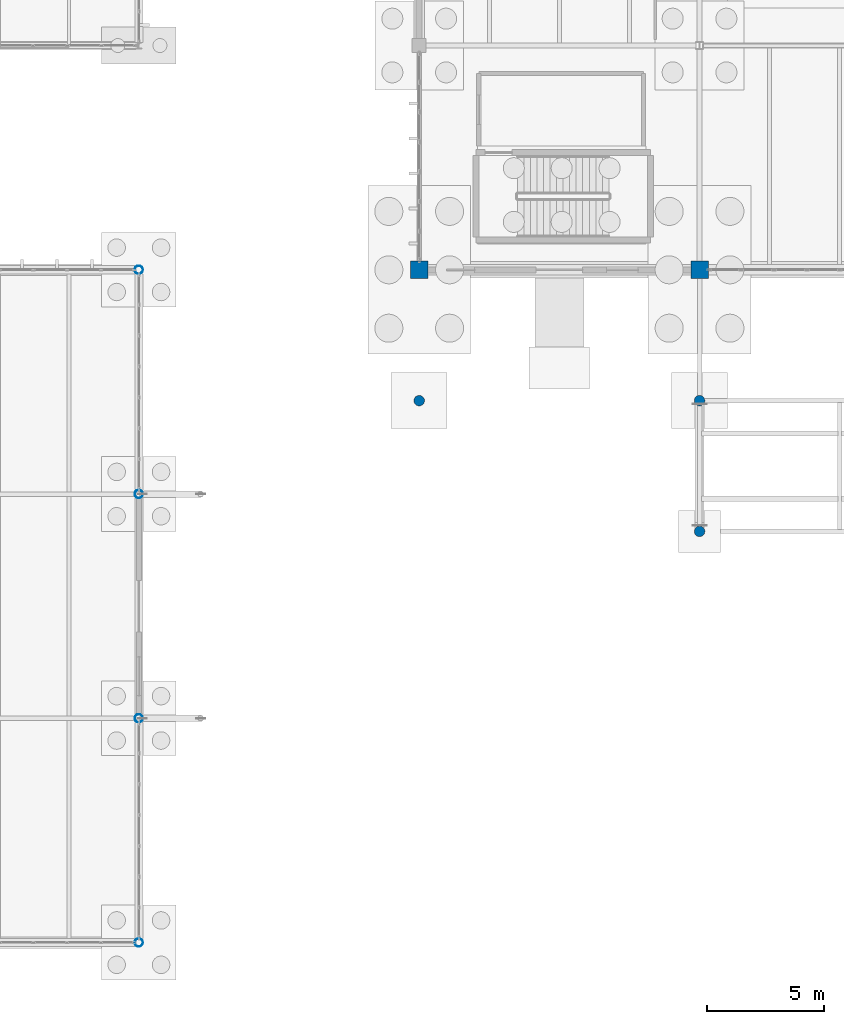
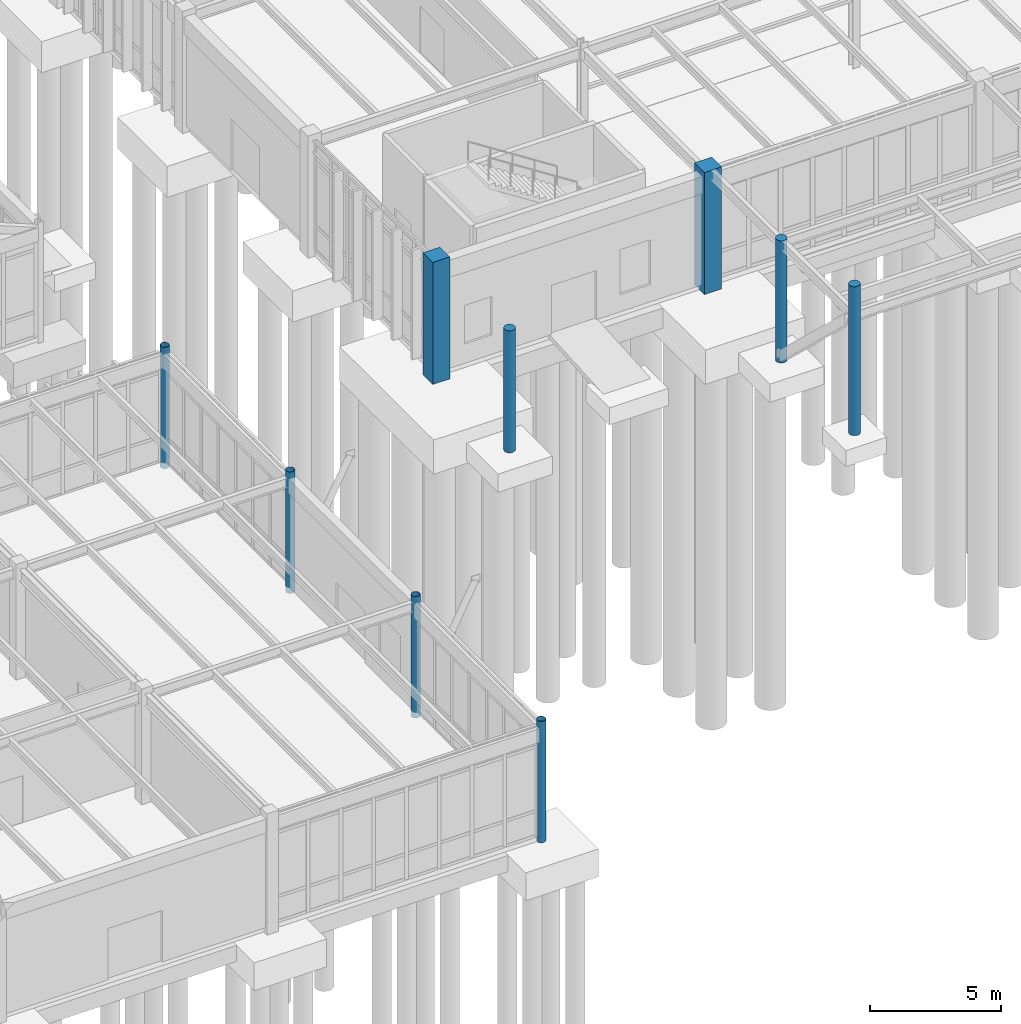
# One storey, part 5 of 188: 9 columns.
"""IFC4 building model written with IfcOpenShell, lengths in metres."""

from ifc_helpers import new_model, si_unit, direction, frame, origin, origin_2d, place, context, subcontext, project, spatial, rectangle, circle, hollow_circle, extrude, material, material_profile, profile_set, type_object, element, save


model = new_model("IFC4")

# Units and contexts
model_context = context("Model", 3, precision=1e-05, world=origin(), true_north=direction((0.0, 1.0)))
body_context = subcontext(model_context, "Body", "Model", "MODEL_VIEW")
ifc_project = project(units=[si_unit("LENGTHUNIT", "METRE"), si_unit("AREAUNIT", "SQUARE_METRE"), si_unit("VOLUMEUNIT", "CUBIC_METRE"), si_unit("PLANEANGLEUNIT", "RADIAN"), si_unit("MASSUNIT", "GRAM", prefix="KILO")], contexts=[model_context])

# Site, building, storey
site_placement = place(None, origin())
site = spatial("IfcSite", under=ifc_project, at=site_placement, CompositionType="ELEMENT")
building_placement = place(site_placement, origin())
building = spatial("IfcBuilding", under=site, at=building_placement, Name="Pandanus Reach Market Hall", CompositionType="ELEMENT")
storey_placement = place(building_placement, origin())
storey = spatial("IfcBuildingStorey", under=building, at=storey_placement, Name="L00", CompositionType="ELEMENT", Elevation=0.0)

# Columns
ifc_material_1 = material(Name="Steel Grade 350 (350 MPa)", Category="steel")
ifc_material_profile_1 = material_profile(ifc_material_1, hollow_circle(Radius=0.177734375, WallThickness=0.0126953125, at=origin_2d()), Name="355.6x12.7CHS", Category="LoadBearing")
ifc_profile_set_1 = profile_set([ifc_material_profile_1], Name="Steel Grade 350 (350 MPa)")
column_type_1 = type_object("IfcColumnType", Name="CL-CHS356-E", PredefinedType="COLUMN", material=ifc_profile_set_1)
for number, where, z_axis, x_axis, name in (
    (1, (36.0, 0.0, -0.27001953125), (0.0, 0.0, 1.0), (1.0, 0.0, 0.0), "Column CL-CHS356-E V3-36-0 L00"),
    (2, (36.0, 9.60009765625, -0.27001953125), (0.0, 0.0, 1.0), (1.0, 0.0, 0.0), "Column CL-CHS356-E V3-36-96 L00"),
    (3, (36.0, 19.199951171875, -0.27001953125), (0.0, 0.0, 1.0), (1.0, 0.0, 0.0), "Column CL-CHS356-E V3-36-192 L00"),
    (4, (36.0, 28.800048828125, -0.27001953125), (0.0, 0.0, 1.0), (1.0, 0.0, 0.0), "Column CL-CHS356-E V3-36-288 L00"),
):
    element("IfcColumn", number, at=place(storey_placement, frame(where, z_axis=z_axis, x_axis=x_axis)), inside=storey, type_object=column_type_1, Name=name, PredefinedType="COLUMN", context=body_context, shape_type="SweptSolid", body=[
        extrude(hollow_circle(Radius=0.177734375, WallThickness=0.0126953125, at=origin_2d()), origin(), (0.0, 0.0, 1.0), 5.669921875),
    ])
ifc_material_2 = material(Name="Concrete N50 (50 MPa)", Category="concrete")
ifc_material_profile_2 = material_profile(ifc_material_2, rectangle(XDim=0.75, YDim=0.75, at=origin_2d()), Name="RC750x750", Category="LoadBearing")
ifc_profile_set_2 = profile_set([ifc_material_profile_2], Name="Concrete N50 (50 MPa)")
column_type_2 = type_object("IfcColumnType", Name="CL-RC750-E", PredefinedType="COLUMN", material=ifc_profile_set_2)
for number, where, z_axis, x_axis, name in (
    (5, (48.0, 28.800048828125, -0.300048828125), (0.0, 0.0, 1.0), (1.0, 0.0, 0.0), "Column CL-RC750-E V1A-48-288 L00"),
    (6, (60.0, 28.800048828125, -0.300048828125), (0.0, 0.0, 1.0), (1.0, 0.0, 0.0), "Column CL-RC750-E V1A-60-288 L00"),
):
    element("IfcColumn", number, at=place(storey_placement, frame(where, z_axis=z_axis, x_axis=x_axis)), inside=storey, type_object=column_type_2, Name=name, PredefinedType="COLUMN", context=body_context, shape_type="SweptSolid", body=[
        extrude(rectangle(XDim=0.75, YDim=0.75, at=origin_2d()), origin(), (0.0, 0.0, 1.0), 5.699951171875),
    ])
ifc_material_3 = material(Name="Precast concrete S50 (50 MPa)", Category="concrete")
ifc_material_profile_3 = material_profile(ifc_material_3, circle(Radius=0.22509765625, at=origin_2d()), Name="RC450D", Category="LoadBearing")
ifc_profile_set_3 = profile_set([ifc_material_profile_3], Name="Precast concrete S50 (50 MPa)")
column_type_3 = type_object("IfcColumnType", Name="PL-RC450-E", PredefinedType="PILASTER", material=ifc_profile_set_3)
for number, where, z_axis, x_axis, name in (
    (7, (48.0, 23.199951171875, -0.300048828125), (0.0, 0.0, 1.0), (1.0, 0.0, 0.0), "Arcade pilaster P1"),
    (8, (60.0, 23.199951171875, -0.300048828125), (0.0, 0.0, 1.0), (1.0, 0.0, 0.0), "Arcade pilaster P2"),
):
    element("IfcColumn", number, at=place(storey_placement, frame(where, z_axis=z_axis, x_axis=x_axis)), inside=storey, type_object=column_type_3, Name=name, PredefinedType="PILASTER", context=body_context, shape_type="SweptSolid", body=[
        extrude(circle(Radius=0.22509765625, at=origin_2d()), origin(), (0.0, 0.0, 1.0), 5.699951171875),
    ])
column_placement = place(storey_placement, frame((60.0, 17.60009765625, -0.300048828125), z_axis=(0.0, 0.0, 1.0), x_axis=(1.0, 0.0, 0.0)))
element("IfcColumn", 9, at=column_placement, inside=storey, type_object=column_type_3, Name="Arcade pilaster P17", PredefinedType="PILASTER", context=body_context, shape_type="SweptSolid", body=[
    extrude(circle(Radius=0.22509765625, at=origin_2d()), origin(), (0.0, 0.0, 1.0), 6.953369140625),
])

save(model, "model.ifc")
